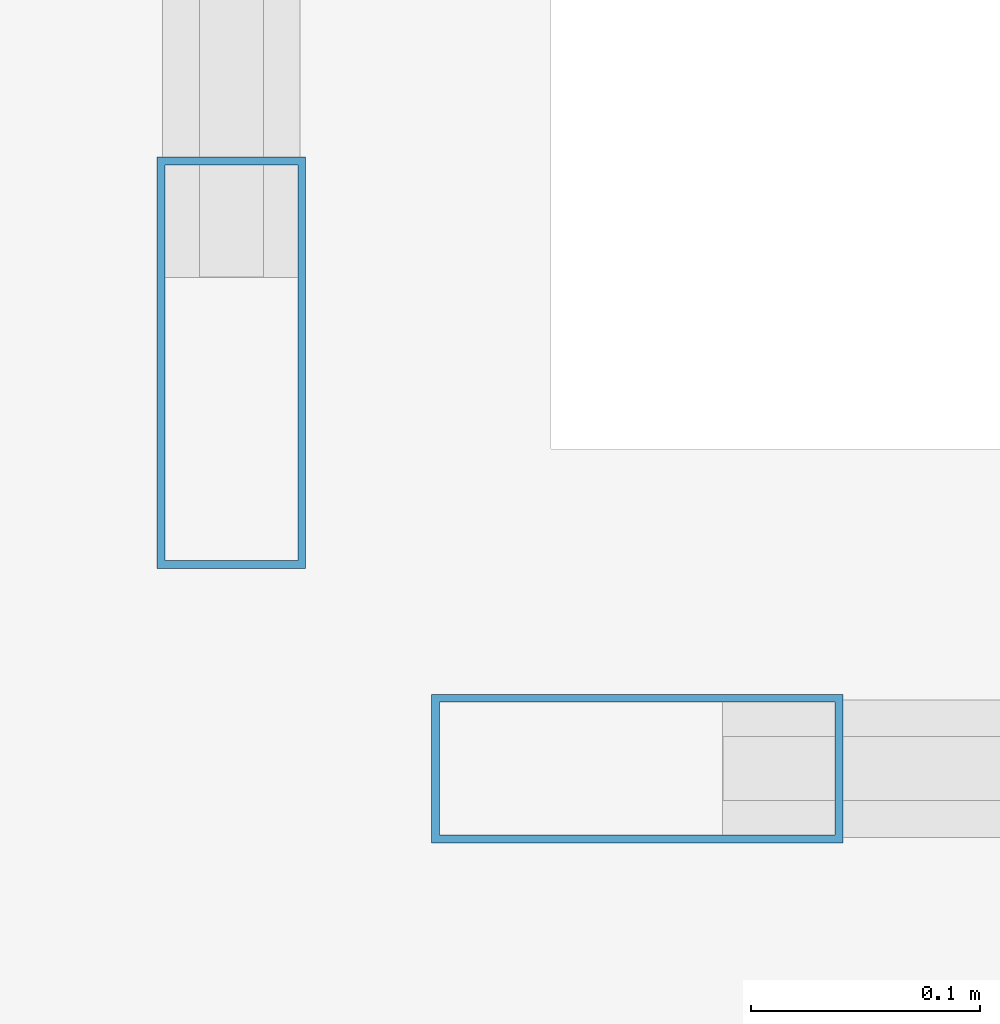
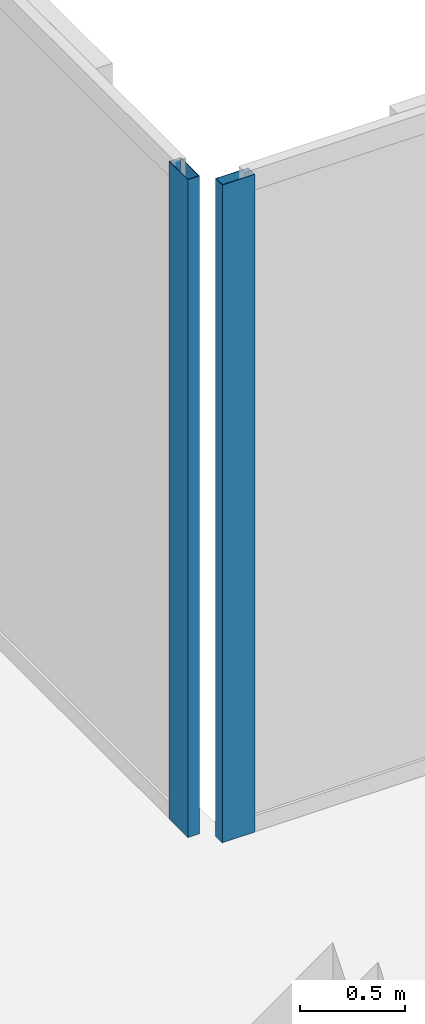
# One storey, part 19 of 29: 2 members, 2 elements without a shape of their own.
"""IFC4 building model written with IfcOpenShell, lengths in metres."""

from ifc_helpers import new_model, si_unit, direction, frame, origin, origin_2d, place, context, subcontext, project, spatial, hollow_rectangle, extrude, material, layer, layer_set, material_profile, profile_set, type_object, element, aggregate, save


model = new_model("IFC4")

# Units and contexts
model_context = context("Model", 3, precision=1e-05, world=origin(), true_north=direction((0.0, 1.0)))
body_context = subcontext(model_context, "Body", "Model", "MODEL_VIEW")
ifc_project = project(units=[si_unit("LENGTHUNIT", "METRE"), si_unit("AREAUNIT", "SQUARE_METRE"), si_unit("VOLUMEUNIT", "CUBIC_METRE"), si_unit("PLANEANGLEUNIT", "RADIAN"), si_unit("MASSUNIT", "GRAM", prefix="KILO")], contexts=[model_context])

# Site, building, storey
site_placement = place(None, origin())
site = spatial("IfcSite", under=ifc_project, at=site_placement, CompositionType="ELEMENT")
building_placement = place(site_placement, origin())
building = spatial("IfcBuilding", under=site, at=building_placement, Name="Nerrivon Quay Data Exchange", CompositionType="ELEMENT")
storey_placement = place(building_placement, frame((0.0, 0.0, 208.300048828125)))
storey = spatial("IfcBuildingStorey", under=building, at=storey_placement, Name="L49", CompositionType="ELEMENT", Elevation=208.300048828125)

# Curtain wall, member
ifc_material = material(Name="Anodised aluminium 6063-T6", Category="aluminium")
ifc_layer = layer(ifc_material, 0.195068359375)
ifc_layer_set = layer_set([ifc_layer], Name="Anodised aluminium 6063-T6")
curtain_wall_type = type_object("IfcCurtainWallType", Name="CW-SYS-06", PredefinedType="NOTDEFINED", material=ifc_layer_set)
curtain_wall_1_placement = place(storey_placement, origin())
curtain_wall_1 = element("IfcCurtainWall", 1, at=curtain_wall_1_placement, inside=storey, type_object=curtain_wall_type, Name="L49 Unitised Curtain Wall 11", PredefinedType="NOTDEFINED")
ifc_material_profile = material_profile(ifc_material, hollow_rectangle(XDim=0.06494140625, YDim=0.179931640625, WallThickness=0.00341796875, at=origin_2d()), Name="ALU-MULL-180x65")
ifc_profile_set = profile_set([ifc_material_profile], Name="Anodised aluminium 6063-T6")
member_type = type_object("IfcMemberType", Name="CWM-180x65", PredefinedType="MULLION", material=ifc_profile_set)
member_1_placement = place(storey_placement, frame((20.860107421875, 46.237548828125, 0.0), z_axis=(0.0, 0.0, 1.0), x_axis=(1.0, 0.0, 0.0)))
member_1 = element("IfcMember", 2, at=member_1_placement, type_object=member_type, Name="CW06 mullion 2", PredefinedType="MULLION", context=body_context, shape_type="SweptSolid", body=[
    extrude(hollow_rectangle(XDim=0.06494140625, YDim=0.179931640625, WallThickness=0.00341796875, at=origin_2d()), origin(), (0.0, 0.0, 1.0), 3.824951171875),
])
aggregate(curtain_wall_1, [member_1])

curtain_wall_2_placement = place(storey_placement, origin())
curtain_wall_2 = element("IfcCurtainWall", 3, at=curtain_wall_2_placement, inside=storey, type_object=curtain_wall_type, Name="L49 Unitised Curtain Wall 12", PredefinedType="NOTDEFINED")
member_2_placement = place(storey_placement, frame((21.03759765625, 46.06005859375, 0.0), z_axis=(0.0, 0.0, 1.0), x_axis=(0.0, 1.0, 0.0)))
member_2 = element("IfcMember", 4, at=member_2_placement, type_object=member_type, Name="CW06 mullion 1", PredefinedType="MULLION", context=body_context, shape_type="SweptSolid", body=[
    extrude(hollow_rectangle(XDim=0.06494140625, YDim=0.179931640625, WallThickness=0.00341796875, at=origin_2d()), origin(), (0.0, 0.0, 1.0), 3.824951171875),
])
aggregate(curtain_wall_2, [member_2])

save(model, "model.ifc")
